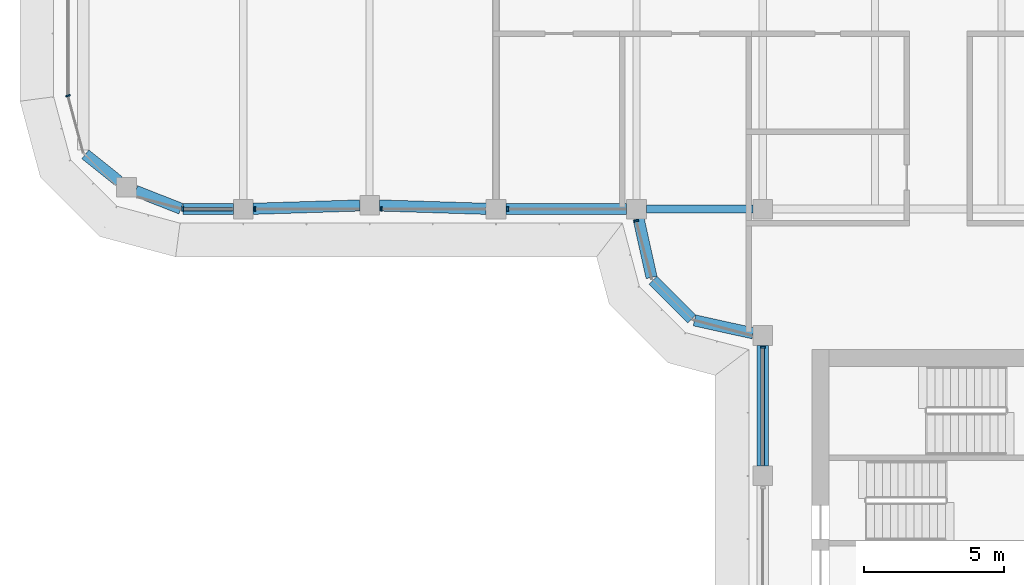
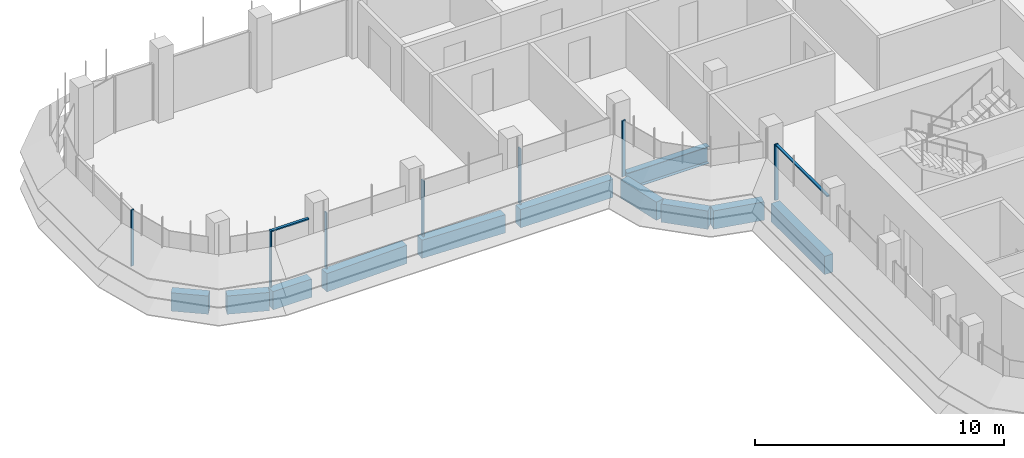
# One storey, part 3 of 18: 11 beams, 9 members, 4 elements without a shape of their own.
"""IFC4 building model written with IfcOpenShell, lengths in metres."""

from ifc_helpers import new_model, si_unit, direction, frame, origin, origin_2d, place, context, subcontext, project, spatial, polyline, rectangle, i_section, outline, extrude, source, transform, mapped, material, material_profile, profile_set, type_object, element, aggregate, save


model = new_model("IFC4")

# Units and contexts
model_context = context("Model", 3, precision=1e-05, world=origin(), true_north=direction((0.0, 1.0)))
body_context = subcontext(model_context, "Body", "Model", "MODEL_VIEW")
ifc_project = project(units=[si_unit("LENGTHUNIT", "METRE"), si_unit("AREAUNIT", "SQUARE_METRE"), si_unit("VOLUMEUNIT", "CUBIC_METRE"), si_unit("PLANEANGLEUNIT", "RADIAN"), si_unit("MASSUNIT", "GRAM", prefix="KILO")], contexts=[model_context])

# Site, building, storey
site_placement = place(None, origin())
site = spatial("IfcSite", under=ifc_project, at=site_placement, CompositionType="ELEMENT")
building_placement = place(site_placement, origin())
building = spatial("IfcBuilding", under=site, at=building_placement, Name="Zarbagh Exchange Tower", CompositionType="ELEMENT")
storey_placement = place(building_placement, frame((0.0, 0.0, 214.39990234375)))
storey = spatial("IfcBuildingStorey", under=building, at=storey_placement, Name="L52", CompositionType="ELEMENT", Elevation=214.39990234375)

# Beams
ifc_material_1 = material(Name="Steel ASTM A992 Gr 50", Category="steel")
ifc_material_profile_1 = material_profile(ifc_material_1, i_section(OverallWidth=0.2919921875, OverallDepth=0.835693359375, WebThickness=0.013916015625, FlangeThickness=0.018798828125, at=origin_2d()), Name="W33X118")
ifc_profile_set_1 = profile_set([ifc_material_profile_1], Name="Steel ASTM A992 Gr 50")
beam_type_1 = type_object("IfcBeamType", Name="Floor girder W33X118", PredefinedType="BEAM", material=ifc_profile_set_1)
beam_1_placement = place(storey_placement, frame((-10.39990234375, -6.25, -0.567626953125), z_axis=(1.0, 0.0, 0.0), x_axis=(0.0, 1.0, 0.0)))
element("IfcBeam", 1, at=beam_1_placement, inside=storey, type_object=beam_type_1, Name="Steel girder", PredefinedType="BEAM", context=body_context, shape_type="SweptSolid", body=[
    extrude(i_section(OverallWidth=0.2919921875, OverallDepth=0.835693359375, WebThickness=0.013916015625, FlangeThickness=0.018798828125, at=origin_2d()), origin(), (0.0, 0.0, 1.0), 3.7998046875),
])
ifc_material_2 = material(Name="Concrete C50/60", Category="concrete")
ifc_material_profile_2 = material_profile(ifc_material_2, rectangle(XDim=0.39990234375, YDim=0.89990234375, at=origin_2d()), Name="RC spandrel beam 400 x 900 C50/60")
ifc_profile_set_2 = profile_set([ifc_material_profile_2], Name="Concrete C50/60")
beam_type_2 = type_object("IfcBeamType", Name="RC spandrel beam 400 x 900 C50/60", PredefinedType="SPANDREL", material=ifc_profile_set_2)
beam_2_placement = place(storey_placement, frame((-6.25, -15.39990234375, -0.599853515625), z_axis=(0.0, 1.0, 0.0), x_axis=(-1.0, 0.0, 0.0)))
element("IfcBeam", 2, at=beam_2_placement, inside=storey, type_object=beam_type_2, Name="RC spandrel beam", PredefinedType="SPANDREL", context=body_context, shape_type="SweptSolid", body=[
    extrude(rectangle(XDim=0.39990234375, YDim=0.89990234375, at=origin_2d()), origin(), (0.0, 0.0, 1.0), 4.2998046875),
])
beam_3_placement = place(storey_placement, frame((-6.591796875, -10.67431640625, -0.599853515625), z_axis=(-0.97639036545, 0.216013551096, 0.0), x_axis=(-0.216013551096, -0.97639036545, 0.0)))
element("IfcBeam", 3, at=beam_3_placement, inside=storey, type_object=beam_type_2, Name="RC spandrel beam", PredefinedType="SPANDREL", context=body_context, shape_type="SweptSolid", body=[
    extrude(rectangle(XDim=0.39990234375, YDim=0.89990234375, at=origin_2d()), origin(), (0.0, 0.0, 1.0), 2.142822265625),
])
beam_4_placement = place(storey_placement, frame((-8.782470703125, -10.15771484375, -0.599853515625), z_axis=(-0.707106781187, 0.707106781187, 0.0), x_axis=(-0.707106781187, -0.707106781187, 0.0)))
element("IfcBeam", 4, at=beam_4_placement, inside=storey, type_object=beam_type_2, Name="RC spandrel beam", PredefinedType="SPANDREL", context=body_context, shape_type="SweptSolid", body=[
    extrude(rectangle(XDim=0.39990234375, YDim=0.89990234375, at=origin_2d()), origin(), (0.0, 0.0, 1.0), 1.94482421875),
])
beam_5_placement = place(storey_placement, frame((-10.21142578125, -8.68408203125, -0.599853515625), z_axis=(-0.216013551096, 0.97639036545, 0.0), x_axis=(-0.97639036545, -0.216013551096, 0.0)))
element("IfcBeam", 5, at=beam_5_placement, inside=storey, type_object=beam_type_2, Name="RC spandrel beam", PredefinedType="SPANDREL", context=body_context, shape_type="SweptSolid", body=[
    extrude(rectangle(XDim=0.39990234375, YDim=0.89990234375, at=origin_2d()), origin(), (0.0, 0.0, 1.0), 2.142822265625),
])
beam_6_placement = place(storey_placement, frame((-11.10009765625, -6.25, -0.599853515625), z_axis=(-1.0, 0.0, 0.0), x_axis=(0.0, -1.0, 0.0)))
element("IfcBeam", 6, at=beam_6_placement, inside=storey, type_object=beam_type_2, Name="RC spandrel beam", PredefinedType="SPANDREL", context=body_context, shape_type="SweptSolid", body=[
    extrude(rectangle(XDim=0.39990234375, YDim=0.89990234375, at=origin_2d()), origin(), (0.0, 0.0, 1.0), 4.2998046875),
])
for number, where, z_axis, x_axis, name in (
    (7, (-16.099853515625, -6.239013671875, -0.599853515625), (-0.999516950199, 0.031078389046, 0.0), (-0.031078389046, -0.999516950199, 0.0), "RC spandrel beam"),
    (8, (-20.599853515625, -6.120849609375, -0.599853515625), (-0.999516950199, -0.031078389046, 0.0), (0.031078389046, -0.999516950199, 0.0), "RC spandrel beam"),
):
    element("IfcBeam", number, at=place(storey_placement, frame(where, z_axis=z_axis, x_axis=x_axis)), inside=storey, type_object=beam_type_2, Name=name, PredefinedType="SPANDREL", context=body_context, shape_type="SweptSolid", body=[
        extrude(rectangle(XDim=0.39990234375, YDim=0.89990234375, at=origin_2d()), origin(), (0.0, 0.0, 1.0), 3.80224609375),
    ])
beam_7_placement = place(storey_placement, frame((-25.10009765625, -6.25, -0.599853515625), z_axis=(-1.0, 0.0, 0.0), x_axis=(0.0, -1.0, 0.0)))
element("IfcBeam", 9, at=beam_7_placement, inside=storey, type_object=beam_type_2, Name="RC spandrel beam", PredefinedType="SPANDREL", context=body_context, shape_type="SweptSolid", body=[
    extrude(rectangle(XDim=0.39990234375, YDim=0.89990234375, at=origin_2d()), origin(), (0.0, 0.0, 1.0), 1.796142578125),
])
beam_8_placement = place(storey_placement, frame((-26.969482421875, -6.236083984375, -0.599853515625), z_axis=(-0.930809711446, 0.365504146457, 0.0), x_axis=(-0.365504146457, -0.930809711446, 0.0)))
element("IfcBeam", 10, at=beam_8_placement, inside=storey, type_object=beam_type_2, Name="RC spandrel beam", PredefinedType="SPANDREL", context=body_context, shape_type="SweptSolid", body=[
    extrude(rectangle(XDim=0.39990234375, YDim=0.89990234375, at=origin_2d()), origin(), (0.0, 0.0, 1.0), 1.732666015625),
])
beam_9_placement = place(storey_placement, frame((-29.18115234375, -5.256103515625, -0.599853515625), z_axis=(-0.780634897504, 0.62498732531, 0.0), x_axis=(-0.62498732531, -0.780634897504, 0.0)))
element("IfcBeam", 11, at=beam_9_placement, inside=storey, type_object=beam_type_2, Name="RC spandrel beam", PredefinedType="SPANDREL", context=body_context, shape_type="SweptSolid", body=[
    extrude(rectangle(XDim=0.39990234375, YDim=0.89990234375, at=origin_2d()), origin(), (0.0, 0.0, 1.0), 1.52783203125),
])

# Curtain wall, member
ifc_material_3 = material(Name="Anodised aluminium frame and glazing", Category="aluminium")
curtain_wall_type = type_object("IfcCurtainWallType", Name="CWB Ribbon glazing, upper zones", PredefinedType="NOTDEFINED", material=ifc_material_3)
curtain_wall_1_placement = place(storey_placement, origin())
curtain_wall_1 = element("IfcCurtainWall", 12, at=curtain_wall_1_placement, inside=storey, type_object=curtain_wall_type, Name="CWB62 curtain wall", PredefinedType="NOTDEFINED")
ifc_material_4 = material(Name="Anodised aluminium frame", Category="aluminium")
member_type_1 = type_object("IfcMemberType", Name="MUB Mullion, anodised aluminium frame", PredefinedType="MULLION", material=ifc_material_4)
shared_shape_1 = source(origin(), body_context, "Body", "SweptSolid", [
    extrude(outline(polyline([(0.0, -0.080078125), (0.06005859375, -0.080078125), (0.06005859375, 0.080078125), (0.0, 0.080078125), (0.0, -0.080078125)])), origin(), (0.0, 0.0, 1.0), 2.75),
])
placement = place(storey_placement, origin())
member_1 = element("IfcMember", 13, at=placement, type_object=member_type_1, Name="CWB62 mullion 1.1", PredefinedType="MULLION", context=body_context, shape_type="MappedRepresentation", body=[
    mapped(shared_shape_1, transform((-31.0, -2.18408203125, 0.0), x_axis=(0.258824779902, -0.965924289636, 0.0), y_axis=(0.965924289636, 0.258824779902, 0.0), z_axis=(0.0, 0.0, 1.0))),
])
aggregate(curtain_wall_1, [member_1])

# Curtain wall, members
curtain_wall_2_placement = place(storey_placement, origin())
curtain_wall_2 = element("IfcCurtainWall", 14, at=curtain_wall_2_placement, inside=storey, type_object=curtain_wall_type, Name="CWB65 curtain wall", PredefinedType="NOTDEFINED")
member_2 = element("IfcMember", 15, at=placement, type_object=member_type_1, Name="CWB65 mullion 1.1", PredefinedType="MULLION", context=body_context, shape_type="MappedRepresentation", body=[
    mapped(shared_shape_1, transform((-26.93408203125, -6.25, 0.0), x_axis=(1.0, 0.0, 0.0), y_axis=(0.0, 1.0, 0.0), z_axis=(0.0, 0.0, 1.0))),
])
member_3 = element("IfcMember", 16, at=placement, type_object=member_type_1, Name="CWB65 mullion 2.1", PredefinedType="MULLION", context=body_context, shape_type="MappedRepresentation", body=[
    mapped(shared_shape_1, transform((-24.35986328125, -6.25, 0.0), x_axis=(1.0, 0.0, 0.0), y_axis=(0.0, 1.0, 0.0), z_axis=(0.0, 0.0, 1.0))),
])
member_4 = element("IfcMember", 17, at=placement, type_object=member_type_1, Name="CWB65 mullion 3.1", PredefinedType="MULLION", context=body_context, shape_type="MappedRepresentation", body=[
    mapped(shared_shape_1, transform((-19.85986328125, -6.25, 0.0), x_axis=(1.0, 0.0, 0.0), y_axis=(0.0, 1.0, 0.0), z_axis=(0.0, 0.0, 1.0))),
])
member_5 = element("IfcMember", 18, at=placement, type_object=member_type_1, Name="CWB65 mullion 4.1", PredefinedType="MULLION", context=body_context, shape_type="MappedRepresentation", body=[
    mapped(shared_shape_1, transform((-15.35986328125, -6.25, 0.0), x_axis=(1.0, 0.0, 0.0), y_axis=(0.0, 1.0, 0.0), z_axis=(0.0, 0.0, 1.0))),
])

# Curtain wall, member
curtain_wall_3_placement = place(storey_placement, origin())
curtain_wall_3 = element("IfcCurtainWall", 19, at=curtain_wall_3_placement, inside=storey, type_object=curtain_wall_type, Name="CWB41 curtain wall", PredefinedType="NOTDEFINED")
member_6 = element("IfcMember", 20, at=placement, type_object=member_type_1, Name="CWB41 mullion 1.1", PredefinedType="MULLION", context=body_context, shape_type="MappedRepresentation", body=[
    mapped(shared_shape_1, transform((-10.76171875, -6.64013671875, 0.0), x_axis=(0.258824779902, -0.965924289636, 0.0), y_axis=(0.965924289636, 0.258824779902, 0.0), z_axis=(0.0, 0.0, 1.0))),
])
aggregate(curtain_wall_3, [member_6])

curtain_wall_4_placement = place(storey_placement, origin())
curtain_wall_4 = element("IfcCurtainWall", 21, at=curtain_wall_4_placement, inside=storey, type_object=curtain_wall_type, Name="CWB53 curtain wall", PredefinedType="NOTDEFINED")
member_7 = element("IfcMember", 22, at=placement, type_object=member_type_1, Name="CWB53 mullion 1.1", PredefinedType="MULLION", context=body_context, shape_type="MappedRepresentation", body=[
    mapped(shared_shape_1, transform((-6.25, -11.14013671875, 0.0), x_axis=(0.0, -1.0, 0.0), y_axis=(1.0, 0.0, 0.0), z_axis=(0.0, 0.0, 1.0))),
])

# Member
member_type_2 = type_object("IfcMemberType", Name="TRB Transom, anodised aluminium frame", PredefinedType="USERDEFINED", material=ifc_material_4)
shared_shape_2 = source(origin(), body_context, "Body", "SweptSolid", [
    extrude(outline(polyline([(-0.06005859375, -0.06005859375), (0.0, -0.06005859375), (0.0, 0.06005859375), (-0.06005859375, 0.06005859375), (-0.06005859375, -0.06005859375)])), origin(), (0.0, 0.0, 1.0), 1.734130859375),
])
member_8 = element("IfcMember", 23, at=placement, type_object=member_type_2, Name="CWB65 transom 1.1", ObjectType="TRANSOM", PredefinedType="USERDEFINED", context=body_context, shape_type="MappedRepresentation", body=[
    mapped(shared_shape_2, transform((-26.874267578125, -6.25, 2.75), x_axis=(0.0, 0.0, 1.0), y_axis=(0.0, -1.0, 0.0), z_axis=(1.0, 0.0, 0.0))),
])

aggregate(curtain_wall_2, [member_2, member_8, member_3, member_4, member_5])

shared_shape_3 = source(origin(), body_context, "Body", "SweptSolid", [
    extrude(outline(polyline([(-0.06005859375, -0.06005859375), (0.0, -0.06005859375), (0.0, 0.06005859375), (-0.06005859375, 0.06005859375), (-0.06005859375, -0.06005859375)])), origin(), (0.0, 0.0, 1.0), 4.159912109375),
])
member_9 = element("IfcMember", 24, at=placement, type_object=member_type_2, Name="CWB53 transom 1.1", ObjectType="TRANSOM", PredefinedType="USERDEFINED", context=body_context, shape_type="MappedRepresentation", body=[
    mapped(shared_shape_3, transform((-6.25, -11.199951171875, 2.75), x_axis=(0.0, 0.0, 1.0), y_axis=(-1.0, 0.0, 0.0), z_axis=(0.0, -1.0, 0.0))),
])

aggregate(curtain_wall_4, [member_7, member_9])

save(model, "model.ifc")
